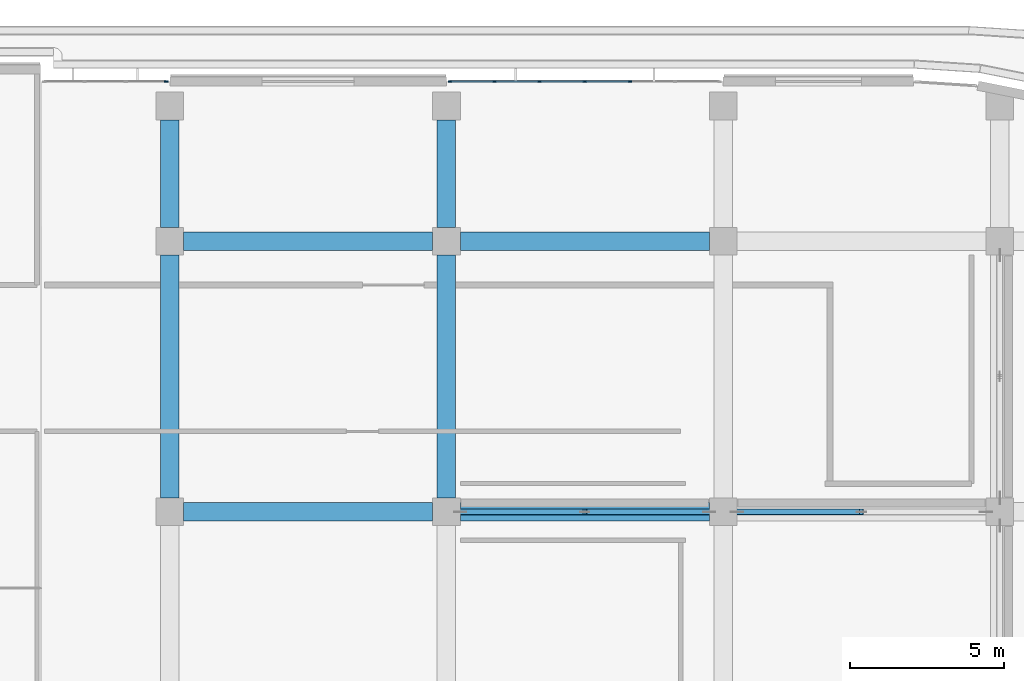
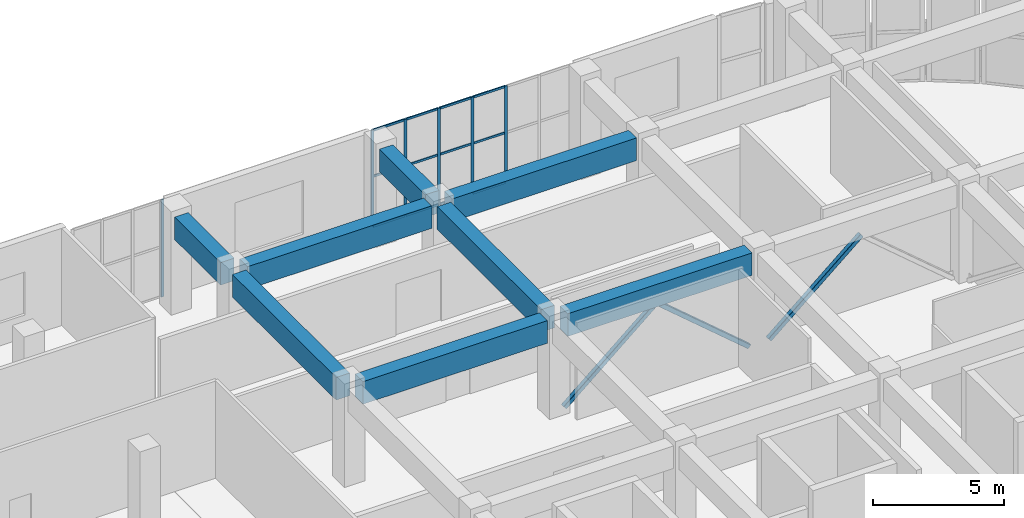
# One storey, part 41 of 96: 21 members, 8 beams, 2 elements without a shape of their own.
"""IFC4 building model written with IfcOpenShell, lengths in metres."""

from ifc_helpers import new_model, si_unit, direction, frame, origin, origin_2d, place, context, subcontext, project, spatial, rectangle, hollow_rectangle, extrude, material, layer, layer_set, material_profile, profile_set, type_object, element, aggregate, save


model = new_model("IFC4")

# Units and contexts
model_context = context("Model", 3, precision=1e-05, world=origin(), true_north=direction((0.0, 1.0)))
body_context = subcontext(model_context, "Body", "Model", "MODEL_VIEW")
ifc_project = project(units=[si_unit("LENGTHUNIT", "METRE"), si_unit("AREAUNIT", "SQUARE_METRE"), si_unit("VOLUMEUNIT", "CUBIC_METRE"), si_unit("PLANEANGLEUNIT", "RADIAN"), si_unit("MASSUNIT", "GRAM", prefix="KILO")], contexts=[model_context])

# Site, building, storey
site_placement = place(None, origin())
site = spatial("IfcSite", under=ifc_project, at=site_placement, CompositionType="ELEMENT")
building_placement = place(site_placement, origin())
building = spatial("IfcBuilding", under=site, at=building_placement, Name="Cendralis Terraced Arcade", CompositionType="ELEMENT")
storey_placement = place(building_placement, frame((0.0, 0.0, 10.199951171875)))
storey = spatial("IfcBuildingStorey", under=building, at=storey_placement, Name="L02", CompositionType="ELEMENT", Elevation=10.199951171875)

# Beams
ifc_material_1 = material(Name="Concrete f'c 35 MPa", Category="concrete")
ifc_material_profile_1 = material_profile(ifc_material_1, rectangle(XDim=0.60009765625, YDim=1.050048828125, at=origin_2d()), Name="RC-BM-600x1050", Category="LoadBearing")
ifc_profile_set_1 = profile_set([ifc_material_profile_1], Name="Concrete f'c 35 MPa")
beam_type = type_object("IfcBeamType", Name="BM-600x1050", PredefinedType="JOIST", material=ifc_profile_set_1)
for number, where, z_axis, x_axis, name in (
    (1, (130.64990234375, 98.39990234375, 3.989990234375), (1.0, 0.0, 0.0), (0.0, 1.0, 0.0), "Reinforced Concrete Frame Beam BM-X-L03-L-15_16"),
    (2, (139.64990234375, 98.39990234375, 3.989990234375), (1.0, 0.0, 0.0), (0.0, 1.0, 0.0), "Reinforced Concrete Frame Beam BM-X-L03-L-16_17"),
    (3, (130.64990234375, 107.199951171875, 3.989990234375), (1.0, 0.0, 0.0), (0.0, 1.0, 0.0), "Reinforced Concrete Frame Beam BM-X-L03-M-15_16"),
    (4, (139.64990234375, 107.199951171875, 3.989990234375), (1.0, 0.0, 0.0), (0.0, 1.0, 0.0), "Reinforced Concrete Frame Beam BM-X-L03-M-16_17"),
):
    element("IfcBeam", number, at=place(storey_placement, frame(where, z_axis=z_axis, x_axis=x_axis)), inside=storey, type_object=beam_type, Name=name, PredefinedType="JOIST", context=body_context, shape_type="SweptSolid", body=[
        extrude(rectangle(XDim=0.60009765625, YDim=1.050048828125, at=origin_2d()), origin(), (0.0, 0.0, 1.0), 8.10009765625),
    ])
beam_1_placement = place(storey_placement, frame((130.199951171875, 98.85009765625, 3.989990234375), z_axis=(0.0, 1.0, 0.0), x_axis=(-1.0, 0.0, 0.0)))
element("IfcBeam", 5, at=beam_1_placement, inside=storey, type_object=beam_type, Name="Reinforced Concrete Frame Beam BM-Y-L03-15-L_M", PredefinedType="JOIST", context=body_context, shape_type="SweptSolid", body=[
    extrude(rectangle(XDim=0.60009765625, YDim=1.050048828125, at=origin_2d()), origin(), (0.0, 0.0, 1.0), 7.89990234375),
])
beam_2_placement = place(storey_placement, frame((130.199951171875, 107.64990234375, 3.989990234375), z_axis=(0.0, 1.0, 0.0), x_axis=(-1.0, 0.0, 0.0)))
element("IfcBeam", 6, at=beam_2_placement, inside=storey, type_object=beam_type, Name="Reinforced Concrete Frame Beam BM-Y-L03-15-M_N", PredefinedType="JOIST", context=body_context, shape_type="SweptSolid", body=[
    extrude(rectangle(XDim=0.60009765625, YDim=1.050048828125, at=origin_2d()), origin(), (0.0, 0.0, 1.0), 3.5),
])
beam_3_placement = place(storey_placement, frame((139.199951171875, 98.85009765625, 3.989990234375), z_axis=(0.0, 1.0, 0.0), x_axis=(-1.0, 0.0, 0.0)))
element("IfcBeam", 7, at=beam_3_placement, inside=storey, type_object=beam_type, Name="Reinforced Concrete Frame Beam BM-Y-L03-16-L_M", PredefinedType="JOIST", context=body_context, shape_type="SweptSolid", body=[
    extrude(rectangle(XDim=0.60009765625, YDim=1.050048828125, at=origin_2d()), origin(), (0.0, 0.0, 1.0), 7.89990234375),
])
beam_4_placement = place(storey_placement, frame((139.199951171875, 107.64990234375, 3.989990234375), z_axis=(0.0, 1.0, 0.0), x_axis=(-1.0, 0.0, 0.0)))
element("IfcBeam", 8, at=beam_4_placement, inside=storey, type_object=beam_type, Name="Reinforced Concrete Frame Beam BM-Y-L03-16-M_N", PredefinedType="JOIST", context=body_context, shape_type="SweptSolid", body=[
    extrude(rectangle(XDim=0.60009765625, YDim=1.050048828125, at=origin_2d()), origin(), (0.0, 0.0, 1.0), 3.5),
])

# Curtain wall, member
ifc_material_2 = material(Name="Anodised aluminium EN AW-6063 T6", Category="aluminium")
ifc_layer = layer(ifc_material_2, 0.1201171875, Name="CW-STORE-B")
ifc_layer_set = layer_set([ifc_layer], Name="Anodised aluminium EN AW-6063 T6")
curtain_wall_type = type_object("IfcCurtainWallType", Name="CW-STORE-B", PredefinedType="USERDEFINED", material=ifc_layer_set)
curtain_wall_1_placement = place(storey_placement, origin())
curtain_wall_1 = element("IfcCurtainWall", 9, at=curtain_wall_1_placement, inside=storey, type_object=curtain_wall_type, Name="Exterior Storefront Glazing CW-L02-0156", ObjectType="STOREFRONT GLAZING", PredefinedType="USERDEFINED")
ifc_material_profile_2 = material_profile(ifc_material_2, rectangle(XDim=0.054931640625, YDim=0.1201171875, at=origin_2d()), Name="ALU-MUL-55x120")
ifc_profile_set_2 = profile_set([ifc_material_profile_2], Name="Anodised aluminium EN AW-6063 T6")
member_type_1 = type_object("IfcMemberType", Name="CW-STORE-B-MUL", PredefinedType="MULLION", material=ifc_profile_set_2)
member_1_placement = place(storey_placement, frame((130.08251953125, 112.39990234375, 0.0), z_axis=(0.0, 0.0, 1.0), x_axis=(0.0, 1.0, 0.0)))
member_1 = element("IfcMember", 10, at=member_1_placement, type_object=member_type_1, Name="CW-S2 mullion 4", PredefinedType="MULLION", context=body_context, shape_type="SweptSolid", body=[
    extrude(rectangle(XDim=0.054931640625, YDim=0.1201171875, at=origin_2d()), origin(), (0.0, 0.0, 1.0), 4.51513671875),
])
aggregate(curtain_wall_1, [member_1])

# Curtain wall, members
curtain_wall_2_placement = place(storey_placement, origin())
curtain_wall_2 = element("IfcCurtainWall", 11, at=curtain_wall_2_placement, inside=storey, type_object=curtain_wall_type, Name="Exterior Storefront Glazing CW-L02-0157", ObjectType="STOREFRONT GLAZING", PredefinedType="USERDEFINED")
member_2_placement = place(storey_placement, frame((139.3173828125, 112.39990234375, 0.0), z_axis=(0.0, 0.0, 1.0), x_axis=(0.0, 1.0, 0.0)))
member_2 = element("IfcMember", 12, at=member_2_placement, type_object=member_type_1, Name="CW-S2 mullion 1", PredefinedType="MULLION", context=body_context, shape_type="SweptSolid", body=[
    extrude(rectangle(XDim=0.054931640625, YDim=0.1201171875, at=origin_2d()), origin(), (0.0, 0.0, 1.0), 4.51513671875),
])
member_3_placement = place(storey_placement, frame((140.760009765625, 112.39990234375, 0.0), z_axis=(0.0, 0.0, 1.0), x_axis=(0.0, 1.0, 0.0)))
member_3 = element("IfcMember", 13, at=member_3_placement, type_object=member_type_1, Name="CW-S2 mullion 2", PredefinedType="MULLION", context=body_context, shape_type="SweptSolid", body=[
    extrude(rectangle(XDim=0.054931640625, YDim=0.1201171875, at=origin_2d()), origin(), (0.0, 0.0, 1.0), 4.51513671875),
])
member_4_placement = place(storey_placement, frame((142.22998046875, 112.39990234375, 0.0), z_axis=(0.0, 0.0, 1.0), x_axis=(0.0, 1.0, 0.0)))
member_4 = element("IfcMember", 14, at=member_4_placement, type_object=member_type_1, Name="CW-S2 mullion 3", PredefinedType="MULLION", context=body_context, shape_type="SweptSolid", body=[
    extrude(rectangle(XDim=0.054931640625, YDim=0.1201171875, at=origin_2d()), origin(), (0.0, 0.0, 1.0), 4.51513671875),
])
member_5_placement = place(storey_placement, frame((143.699951171875, 112.39990234375, 0.0), z_axis=(0.0, 0.0, 1.0), x_axis=(0.0, 1.0, 0.0)))
member_5 = element("IfcMember", 15, at=member_5_placement, type_object=member_type_1, Name="CW-S2 mullion 4", PredefinedType="MULLION", context=body_context, shape_type="SweptSolid", body=[
    extrude(rectangle(XDim=0.054931640625, YDim=0.1201171875, at=origin_2d()), origin(), (0.0, 0.0, 1.0), 4.51513671875),
])
member_6_placement = place(storey_placement, frame((145.169921875, 112.39990234375, 0.0), z_axis=(0.0, 0.0, 1.0), x_axis=(0.0, 1.0, 0.0)))
member_6 = element("IfcMember", 16, at=member_6_placement, type_object=member_type_1, Name="CW-S2 mullion 5", PredefinedType="MULLION", context=body_context, shape_type="SweptSolid", body=[
    extrude(rectangle(XDim=0.054931640625, YDim=0.1201171875, at=origin_2d()), origin(), (0.0, 0.0, 1.0), 4.51513671875),
])
ifc_material_profile_3 = material_profile(ifc_material_2, rectangle(XDim=0.054931640625, YDim=0.10009765625, at=origin_2d()), Name="ALU-TRN-55x100")
ifc_profile_set_3 = profile_set([ifc_material_profile_3], Name="Anodised aluminium EN AW-6063 T6")
member_type_2 = type_object("IfcMemberType", Name="CW-STORE-B-TRN", PredefinedType="USERDEFINED", material=ifc_profile_set_3)
member_7_placement = place(storey_placement, frame((139.344970703125, 112.39990234375, 0.027587890625), z_axis=(1.0, 0.0, 0.0), x_axis=(0.0, 1.0, 0.0)))
member_7 = element("IfcMember", 17, at=member_7_placement, type_object=member_type_2, Name="CW-S2 transom 1.1", ObjectType="TRANSOM", PredefinedType="USERDEFINED", context=body_context, shape_type="SweptSolid", body=[
    extrude(rectangle(XDim=0.054931640625, YDim=0.10009765625, at=origin_2d()), origin(), (0.0, 0.0, 1.0), 1.387451171875),
])
member_8_placement = place(storey_placement, frame((139.344970703125, 112.39990234375, 2.347900390625), z_axis=(1.0, 0.0, 0.0), x_axis=(0.0, 1.0, 0.0)))
member_8 = element("IfcMember", 18, at=member_8_placement, type_object=member_type_2, Name="CW-S2 transom 1.2", ObjectType="TRANSOM", PredefinedType="USERDEFINED", context=body_context, shape_type="SweptSolid", body=[
    extrude(rectangle(XDim=0.054931640625, YDim=0.10009765625, at=origin_2d()), origin(), (0.0, 0.0, 1.0), 1.387451171875),
])
member_9_placement = place(storey_placement, frame((139.344970703125, 112.39990234375, 4.487548828125), z_axis=(1.0, 0.0, 0.0), x_axis=(0.0, 1.0, 0.0)))
member_9 = element("IfcMember", 19, at=member_9_placement, type_object=member_type_2, Name="CW-S2 transom 1.3", ObjectType="TRANSOM", PredefinedType="USERDEFINED", context=body_context, shape_type="SweptSolid", body=[
    extrude(rectangle(XDim=0.054931640625, YDim=0.10009765625, at=origin_2d()), origin(), (0.0, 0.0, 1.0), 1.387451171875),
])
member_10_placement = place(storey_placement, frame((140.78759765625, 112.39990234375, 0.027587890625), z_axis=(1.0, 0.0, 0.0), x_axis=(0.0, 1.0, 0.0)))
member_10 = element("IfcMember", 20, at=member_10_placement, type_object=member_type_2, Name="CW-S2 transom 2.1", ObjectType="TRANSOM", PredefinedType="USERDEFINED", context=body_context, shape_type="SweptSolid", body=[
    extrude(rectangle(XDim=0.054931640625, YDim=0.10009765625, at=origin_2d()), origin(), (0.0, 0.0, 1.0), 1.414794921875),
])
member_11_placement = place(storey_placement, frame((140.78759765625, 112.39990234375, 2.347900390625), z_axis=(1.0, 0.0, 0.0), x_axis=(0.0, 1.0, 0.0)))
member_11 = element("IfcMember", 21, at=member_11_placement, type_object=member_type_2, Name="CW-S2 transom 2.2", ObjectType="TRANSOM", PredefinedType="USERDEFINED", context=body_context, shape_type="SweptSolid", body=[
    extrude(rectangle(XDim=0.054931640625, YDim=0.10009765625, at=origin_2d()), origin(), (0.0, 0.0, 1.0), 1.414794921875),
])
member_12_placement = place(storey_placement, frame((140.78759765625, 112.39990234375, 4.487548828125), z_axis=(1.0, 0.0, 0.0), x_axis=(0.0, 1.0, 0.0)))
member_12 = element("IfcMember", 22, at=member_12_placement, type_object=member_type_2, Name="CW-S2 transom 2.3", ObjectType="TRANSOM", PredefinedType="USERDEFINED", context=body_context, shape_type="SweptSolid", body=[
    extrude(rectangle(XDim=0.054931640625, YDim=0.10009765625, at=origin_2d()), origin(), (0.0, 0.0, 1.0), 1.414794921875),
])
member_13_placement = place(storey_placement, frame((142.257568359375, 112.39990234375, 0.027587890625), z_axis=(1.0, 0.0, 0.0), x_axis=(0.0, 1.0, 0.0)))
member_13 = element("IfcMember", 23, at=member_13_placement, type_object=member_type_2, Name="CW-S2 transom 3.1", ObjectType="TRANSOM", PredefinedType="USERDEFINED", context=body_context, shape_type="SweptSolid", body=[
    extrude(rectangle(XDim=0.054931640625, YDim=0.10009765625, at=origin_2d()), origin(), (0.0, 0.0, 1.0), 1.4150390625),
])
member_14_placement = place(storey_placement, frame((142.257568359375, 112.39990234375, 2.347900390625), z_axis=(1.0, 0.0, 0.0), x_axis=(0.0, 1.0, 0.0)))
member_14 = element("IfcMember", 24, at=member_14_placement, type_object=member_type_2, Name="CW-S2 transom 3.2", ObjectType="TRANSOM", PredefinedType="USERDEFINED", context=body_context, shape_type="SweptSolid", body=[
    extrude(rectangle(XDim=0.054931640625, YDim=0.10009765625, at=origin_2d()), origin(), (0.0, 0.0, 1.0), 1.4150390625),
])
member_15_placement = place(storey_placement, frame((142.257568359375, 112.39990234375, 4.487548828125), z_axis=(1.0, 0.0, 0.0), x_axis=(0.0, 1.0, 0.0)))
member_15 = element("IfcMember", 25, at=member_15_placement, type_object=member_type_2, Name="CW-S2 transom 3.3", ObjectType="TRANSOM", PredefinedType="USERDEFINED", context=body_context, shape_type="SweptSolid", body=[
    extrude(rectangle(XDim=0.054931640625, YDim=0.10009765625, at=origin_2d()), origin(), (0.0, 0.0, 1.0), 1.4150390625),
])
member_16_placement = place(storey_placement, frame((143.7275390625, 112.39990234375, 0.027587890625), z_axis=(1.0, 0.0, 0.0), x_axis=(0.0, 1.0, 0.0)))
member_16 = element("IfcMember", 26, at=member_16_placement, type_object=member_type_2, Name="CW-S2 transom 4.1", ObjectType="TRANSOM", PredefinedType="USERDEFINED", context=body_context, shape_type="SweptSolid", body=[
    extrude(rectangle(XDim=0.054931640625, YDim=0.10009765625, at=origin_2d()), origin(), (0.0, 0.0, 1.0), 1.4150390625),
])
member_17_placement = place(storey_placement, frame((143.7275390625, 112.39990234375, 2.347900390625), z_axis=(1.0, 0.0, 0.0), x_axis=(0.0, 1.0, 0.0)))
member_17 = element("IfcMember", 27, at=member_17_placement, type_object=member_type_2, Name="CW-S2 transom 4.2", ObjectType="TRANSOM", PredefinedType="USERDEFINED", context=body_context, shape_type="SweptSolid", body=[
    extrude(rectangle(XDim=0.054931640625, YDim=0.10009765625, at=origin_2d()), origin(), (0.0, 0.0, 1.0), 1.4150390625),
])
member_18_placement = place(storey_placement, frame((143.7275390625, 112.39990234375, 4.487548828125), z_axis=(1.0, 0.0, 0.0), x_axis=(0.0, 1.0, 0.0)))
member_18 = element("IfcMember", 28, at=member_18_placement, type_object=member_type_2, Name="CW-S2 transom 4.3", ObjectType="TRANSOM", PredefinedType="USERDEFINED", context=body_context, shape_type="SweptSolid", body=[
    extrude(rectangle(XDim=0.054931640625, YDim=0.10009765625, at=origin_2d()), origin(), (0.0, 0.0, 1.0), 1.4150390625),
])
aggregate(curtain_wall_2, [member_2, member_3, member_4, member_5, member_6, member_7, member_8, member_9, member_10, member_11, member_12, member_13, member_14, member_15, member_16, member_17, member_18])

# Members
ifc_material_3 = material(Name="Steel ASTM A572 Grade 50", Category="steel")
ifc_material_profile_4 = material_profile(ifc_material_3, hollow_rectangle(XDim=0.199951171875, YDim=0.199951171875, WallThickness=0.010009765625, InnerFilletRadius=0.010009765625, OuterFilletRadius=0.02001953125, at=origin_2d()), Name="HSS200X200X10", Category="LoadBearing")
ifc_profile_set_4 = profile_set([ifc_material_profile_4], Name="Steel ASTM A572 Grade 50")
member_type_3 = type_object("IfcMemberType", Name="MEM-BRC-HSS200", PredefinedType="BRACE", material=ifc_profile_set_4)
for number, where, z_axis, x_axis, name in (
    (29, (139.64990234375, 98.39990234375, 0.02001953125), (0.761704755034, 0.0, 0.647924275019), (0.0, 1.0, 0.0), "Chevron Steel Lateral Frame Brace BRC-L02-005"),
    (30, (147.75, 98.39990234375, 0.02001953125), (-0.761704755034, 0.0, 0.647924275019), (0.0, -1.0, 0.0), "Chevron Steel Lateral Frame Brace BRC-L02-006"),
    (31, (148.64990234375, 98.39990234375, 0.02001953125), (0.761704755034, 0.0, 0.647924275019), (0.0, 1.0, 0.0), "Chevron Steel Lateral Frame Brace BRC-L02-013"),
):
    element("IfcMember", number, at=place(storey_placement, frame(where, z_axis=z_axis, x_axis=x_axis)), inside=storey, type_object=member_type_3, Name=name, PredefinedType="BRACE", context=body_context, shape_type="SweptSolid", body=[
        extrude(hollow_rectangle(XDim=0.199951171875, YDim=0.199951171875, WallThickness=0.010009765625, InnerFilletRadius=0.010009765625, OuterFilletRadius=0.02001953125, at=origin_2d()), origin(), (0.0, 0.0, 1.0), 5.317138671875),
    ])

save(model, "model.ifc")
